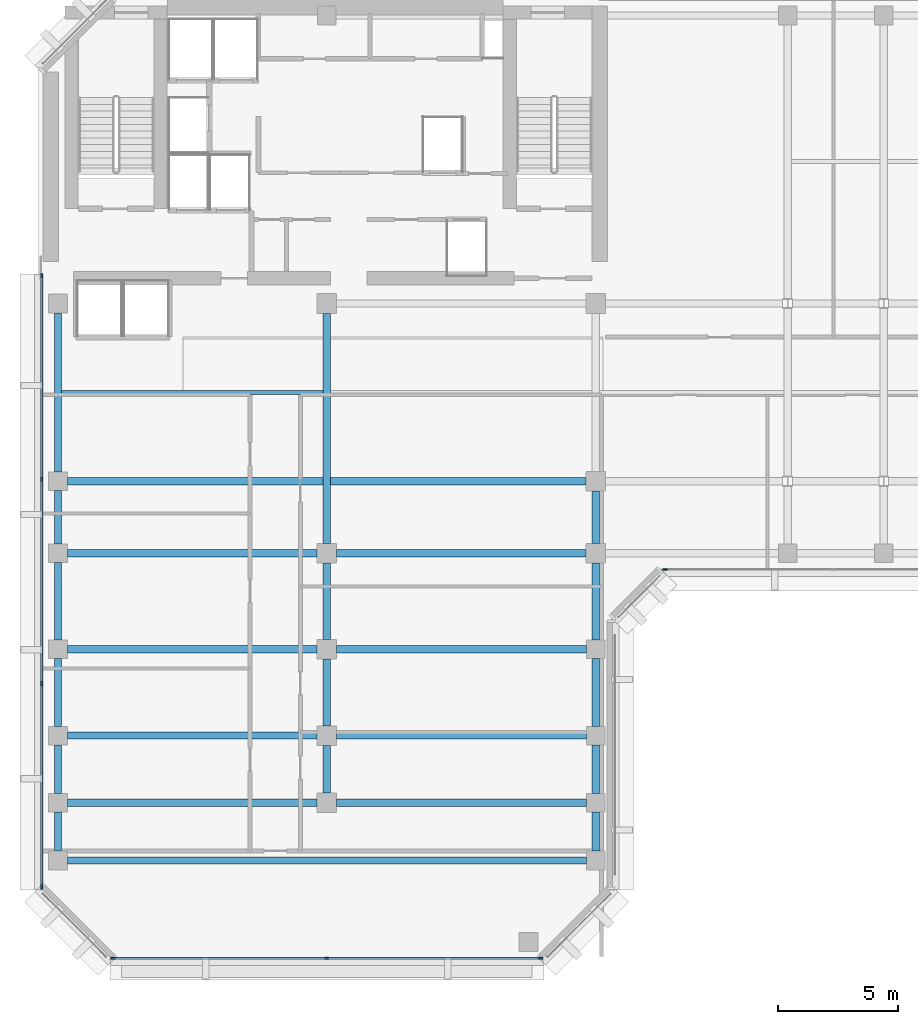
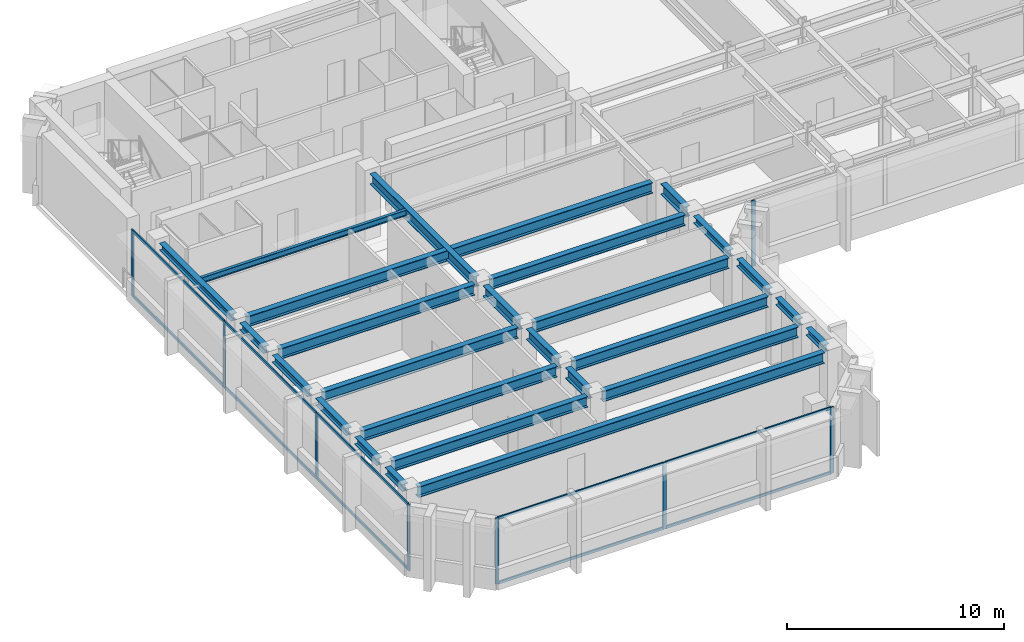
# One storey, part 2 of 12: 26 beams, 18 members, 3 elements without a shape of their own.
"""IFC4 building model written with IfcOpenShell, lengths in metres."""

from ifc_helpers import new_model, si_unit, direction, frame, origin, origin_2d, place, context, subcontext, project, spatial, rectangle, i_section, extrude, material, layer, layer_set, material_profile, profile_set, type_object, element, aggregate, save


model = new_model("IFC4")

# Units and contexts
model_context = context("Model", 3, precision=1e-05, world=origin(), true_north=direction((0.0, 1.0)))
body_context = subcontext(model_context, "Body", "Model", "MODEL_VIEW")
ifc_project = project(units=[si_unit("LENGTHUNIT", "METRE"), si_unit("AREAUNIT", "SQUARE_METRE"), si_unit("VOLUMEUNIT", "CUBIC_METRE"), si_unit("PLANEANGLEUNIT", "RADIAN"), si_unit("MASSUNIT", "GRAM", prefix="KILO")], contexts=[model_context])

# Site, building, storey
site_placement = place(None, origin())
site = spatial("IfcSite", under=ifc_project, at=site_placement, CompositionType="ELEMENT")
building_placement = place(site_placement, origin())
building = spatial("IfcBuilding", under=site, at=building_placement, Name="Kefirva Bronze Tower", CompositionType="ELEMENT")
storey_placement = place(building_placement, frame((0.0, 0.0, 260.3701171875)))
storey = spatial("IfcBuildingStorey", under=building, at=storey_placement, Name="L63", CompositionType="ELEMENT", Elevation=260.3701171875)

# Curtain wall, members
ifc_material_1 = material(Name="Bronze anodised aluminium", Category="aluminium")
ifc_layer = layer(ifc_material_1, 0.179931640625, Name="Bronze anodised aluminium")
ifc_layer_set = layer_set([ifc_layer], Name="Bronze anodised aluminium")
curtain_wall_type = type_object("IfcCurtainWallType", Name="Unitised Bronze Ribbon Curtain Wall Zone 3", PredefinedType="USERDEFINED", material=ifc_layer_set)
curtain_wall_1_placement = place(storey_placement, origin())
curtain_wall_1 = element("IfcCurtainWall", 1, at=curtain_wall_1_placement, inside=storey, type_object=curtain_wall_type, Name="L63 Curtain Wall 1", ObjectType="UNITISED CURTAIN WALL", PredefinedType="USERDEFINED")
ifc_material_profile_1 = material_profile(ifc_material_1, rectangle(XDim=0.074951171875, YDim=0.179931640625, at=origin_2d()), Name="ALU 75x180")
ifc_profile_set_1 = profile_set([ifc_material_profile_1], Name="Bronze anodised aluminium")
member_type_1 = type_object("IfcMemberType", Name="Bronze Mullion 75x180", PredefinedType="MULLION", material=ifc_profile_set_1)
member_1_placement = place(storey_placement, frame((3.092529296875, 5.919921875, 0.0), z_axis=(0.0, 0.0, 1.0), x_axis=(0.0, 1.0, 0.0)))
member_1 = element("IfcMember", 2, at=member_1_placement, type_object=member_type_1, Name="CW-03 mullion 1", PredefinedType="MULLION", context=body_context, shape_type="SweptSolid", body=[
    extrude(rectangle(XDim=0.074951171875, YDim=0.179931640625, at=origin_2d()), origin(), (0.0, 0.0, 1.0), 3.7099609375),
])
member_2_placement = place(storey_placement, frame((12.0, 5.919921875, 0.0), z_axis=(0.0, 0.0, 1.0), x_axis=(0.0, 1.0, 0.0)))
member_2 = element("IfcMember", 3, at=member_2_placement, type_object=member_type_1, Name="CW-03 mullion 2", PredefinedType="MULLION", context=body_context, shape_type="SweptSolid", body=[
    extrude(rectangle(XDim=0.074951171875, YDim=0.179931640625, at=origin_2d()), origin(), (0.0, 0.0, 1.0), 3.7099609375),
])
member_3_placement = place(storey_placement, frame((20.907470703125, 5.919921875, 0.0), z_axis=(0.0, 0.0, 1.0), x_axis=(0.0, 1.0, 0.0)))
member_3 = element("IfcMember", 4, at=member_3_placement, type_object=member_type_1, Name="CW-03 mullion 3", PredefinedType="MULLION", context=body_context, shape_type="SweptSolid", body=[
    extrude(rectangle(XDim=0.074951171875, YDim=0.179931640625, at=origin_2d()), origin(), (0.0, 0.0, 1.0), 3.7099609375),
])

# Curtain wall, member
curtain_wall_2_placement = place(storey_placement, origin())
curtain_wall_2 = element("IfcCurtainWall", 5, at=curtain_wall_2_placement, inside=storey, type_object=curtain_wall_type, Name="L63 Curtain Wall 2", ObjectType="UNITISED CURTAIN WALL", PredefinedType="USERDEFINED")
member_4_placement = place(storey_placement, frame((26.092529296875, 22.1201171875, 0.0), z_axis=(0.0, 0.0, 1.0), x_axis=(0.0, 1.0, 0.0)))
member_4 = element("IfcMember", 6, at=member_4_placement, type_object=member_type_1, Name="CW-03 mullion 1", PredefinedType="MULLION", context=body_context, shape_type="SweptSolid", body=[
    extrude(rectangle(XDim=0.074951171875, YDim=0.179931640625, at=origin_2d()), origin(), (0.0, 0.0, 1.0), 3.7099609375),
])
aggregate(curtain_wall_2, [member_4])

# Curtain wall, members
curtain_wall_3_placement = place(storey_placement, origin())
curtain_wall_3 = element("IfcCurtainWall", 7, at=curtain_wall_3_placement, inside=storey, type_object=curtain_wall_type, Name="L63 Curtain Wall 5", ObjectType="UNITISED CURTAIN WALL", PredefinedType="USERDEFINED")
member_5_placement = place(storey_placement, frame((0.1201171875, 34.357421875, 0.0), z_axis=(0.0, 0.0, 1.0), x_axis=(1.0, 0.0, 0.0)))
member_5 = element("IfcMember", 8, at=member_5_placement, type_object=member_type_1, Name="CW-03 mullion 1", PredefinedType="MULLION", context=body_context, shape_type="SweptSolid", body=[
    extrude(rectangle(XDim=0.074951171875, YDim=0.179931640625, at=origin_2d()), origin(), (0.0, 0.0, 1.0), 3.7099609375),
])
member_6_placement = place(storey_placement, frame((0.1201171875, 25.881591796875, 0.0), z_axis=(0.0, 0.0, 1.0), x_axis=(1.0, 0.0, 0.0)))
member_6 = element("IfcMember", 9, at=member_6_placement, type_object=member_type_1, Name="CW-03 mullion 2", PredefinedType="MULLION", context=body_context, shape_type="SweptSolid", body=[
    extrude(rectangle(XDim=0.074951171875, YDim=0.179931640625, at=origin_2d()), origin(), (0.0, 0.0, 1.0), 3.7099609375),
])
member_7_placement = place(storey_placement, frame((0.1201171875, 17.368408203125, 0.0), z_axis=(0.0, 0.0, 1.0), x_axis=(1.0, 0.0, 0.0)))
member_7 = element("IfcMember", 10, at=member_7_placement, type_object=member_type_1, Name="CW-03 mullion 3", PredefinedType="MULLION", context=body_context, shape_type="SweptSolid", body=[
    extrude(rectangle(XDim=0.074951171875, YDim=0.179931640625, at=origin_2d()), origin(), (0.0, 0.0, 1.0), 3.7099609375),
])
member_8_placement = place(storey_placement, frame((0.1201171875, 8.892578125, 0.0), z_axis=(0.0, 0.0, 1.0), x_axis=(1.0, 0.0, 0.0)))
member_8 = element("IfcMember", 11, at=member_8_placement, type_object=member_type_1, Name="CW-03 mullion 4", PredefinedType="MULLION", context=body_context, shape_type="SweptSolid", body=[
    extrude(rectangle(XDim=0.074951171875, YDim=0.179931640625, at=origin_2d()), origin(), (0.0, 0.0, 1.0), 3.7099609375),
])

# Member
ifc_material_profile_2 = material_profile(ifc_material_1, rectangle(XDim=0.074951171875, YDim=0.14990234375, at=origin_2d()), Name="ALU 75x150")
ifc_profile_set_2 = profile_set([ifc_material_profile_2], Name="Bronze anodised aluminium")
member_type_2 = type_object("IfcMemberType", Name="Bronze Transom 75x150", PredefinedType="USERDEFINED", material=ifc_profile_set_2)
member_9_placement = place(storey_placement, frame((3.1298828125, 5.919921875, 0.037353515625), z_axis=(1.0, 0.0, 0.0), x_axis=(0.0, 1.0, 0.0)))
member_9 = element("IfcMember", 12, at=member_9_placement, type_object=member_type_2, Name="CW-03 transom 1.1", ObjectType="TRANSOM", PredefinedType="USERDEFINED", context=body_context, shape_type="SweptSolid", body=[
    extrude(rectangle(XDim=0.074951171875, YDim=0.14990234375, at=origin_2d()), origin(), (0.0, 0.0, 1.0), 8.83251953125),
])

member_10_placement = place(storey_placement, frame((3.1298828125, 5.919921875, 3.67236328125), z_axis=(1.0, 0.0, 0.0), x_axis=(0.0, 1.0, 0.0)))
member_10 = element("IfcMember", 13, at=member_10_placement, type_object=member_type_2, Name="CW-03 transom 1.2", ObjectType="TRANSOM", PredefinedType="USERDEFINED", context=body_context, shape_type="SweptSolid", body=[
    extrude(rectangle(XDim=0.074951171875, YDim=0.14990234375, at=origin_2d()), origin(), (0.0, 0.0, 1.0), 8.83251953125),
])

member_11_placement = place(storey_placement, frame((12.03759765625, 5.919921875, 0.037353515625), z_axis=(1.0, 0.0, 0.0), x_axis=(0.0, 1.0, 0.0)))
member_11 = element("IfcMember", 14, at=member_11_placement, type_object=member_type_2, Name="CW-03 transom 2.1", ObjectType="TRANSOM", PredefinedType="USERDEFINED", context=body_context, shape_type="SweptSolid", body=[
    extrude(rectangle(XDim=0.074951171875, YDim=0.14990234375, at=origin_2d()), origin(), (0.0, 0.0, 1.0), 8.83251953125),
])

member_12_placement = place(storey_placement, frame((12.03759765625, 5.919921875, 3.67236328125), z_axis=(1.0, 0.0, 0.0), x_axis=(0.0, 1.0, 0.0)))
member_12 = element("IfcMember", 15, at=member_12_placement, type_object=member_type_2, Name="CW-03 transom 2.2", ObjectType="TRANSOM", PredefinedType="USERDEFINED", context=body_context, shape_type="SweptSolid", body=[
    extrude(rectangle(XDim=0.074951171875, YDim=0.14990234375, at=origin_2d()), origin(), (0.0, 0.0, 1.0), 8.83251953125),
])

aggregate(curtain_wall_1, [member_1, member_2, member_3, member_9, member_10, member_11, member_12])

member_13_placement = place(storey_placement, frame((0.1201171875, 34.320068359375, 0.037353515625), z_axis=(0.0, -1.0, 0.0), x_axis=(1.0, 0.0, 0.0)))
member_13 = element("IfcMember", 16, at=member_13_placement, type_object=member_type_2, Name="CW-03 transom 1.1", ObjectType="TRANSOM", PredefinedType="USERDEFINED", context=body_context, shape_type="SweptSolid", body=[
    extrude(rectangle(XDim=0.074951171875, YDim=0.14990234375, at=origin_2d()), origin(), (0.0, 0.0, 1.0), 8.40087890625),
])

member_14_placement = place(storey_placement, frame((0.1201171875, 34.320068359375, 3.67236328125), z_axis=(0.0, -1.0, 0.0), x_axis=(1.0, 0.0, 0.0)))
member_14 = element("IfcMember", 17, at=member_14_placement, type_object=member_type_2, Name="CW-03 transom 1.2", ObjectType="TRANSOM", PredefinedType="USERDEFINED", context=body_context, shape_type="SweptSolid", body=[
    extrude(rectangle(XDim=0.074951171875, YDim=0.14990234375, at=origin_2d()), origin(), (0.0, 0.0, 1.0), 8.40087890625),
])

member_15_placement = place(storey_placement, frame((0.1201171875, 25.84423828125, 0.037353515625), z_axis=(0.0, -1.0, 0.0), x_axis=(1.0, 0.0, 0.0)))
member_15 = element("IfcMember", 18, at=member_15_placement, type_object=member_type_2, Name="CW-03 transom 2.1", ObjectType="TRANSOM", PredefinedType="USERDEFINED", context=body_context, shape_type="SweptSolid", body=[
    extrude(rectangle(XDim=0.074951171875, YDim=0.14990234375, at=origin_2d()), origin(), (0.0, 0.0, 1.0), 8.4384765625),
])

member_16_placement = place(storey_placement, frame((0.1201171875, 25.84423828125, 3.67236328125), z_axis=(0.0, -1.0, 0.0), x_axis=(1.0, 0.0, 0.0)))
member_16 = element("IfcMember", 19, at=member_16_placement, type_object=member_type_2, Name="CW-03 transom 2.2", ObjectType="TRANSOM", PredefinedType="USERDEFINED", context=body_context, shape_type="SweptSolid", body=[
    extrude(rectangle(XDim=0.074951171875, YDim=0.14990234375, at=origin_2d()), origin(), (0.0, 0.0, 1.0), 8.4384765625),
])

member_17_placement = place(storey_placement, frame((0.1201171875, 17.330810546875, 0.037353515625), z_axis=(0.0, -1.0, 0.0), x_axis=(1.0, 0.0, 0.0)))
member_17 = element("IfcMember", 20, at=member_17_placement, type_object=member_type_2, Name="CW-03 transom 3.1", ObjectType="TRANSOM", PredefinedType="USERDEFINED", context=body_context, shape_type="SweptSolid", body=[
    extrude(rectangle(XDim=0.074951171875, YDim=0.14990234375, at=origin_2d()), origin(), (0.0, 0.0, 1.0), 8.40087890625),
])

member_18_placement = place(storey_placement, frame((0.1201171875, 17.330810546875, 3.67236328125), z_axis=(0.0, -1.0, 0.0), x_axis=(1.0, 0.0, 0.0)))
member_18 = element("IfcMember", 21, at=member_18_placement, type_object=member_type_2, Name="CW-03 transom 3.2", ObjectType="TRANSOM", PredefinedType="USERDEFINED", context=body_context, shape_type="SweptSolid", body=[
    extrude(rectangle(XDim=0.074951171875, YDim=0.14990234375, at=origin_2d()), origin(), (0.0, 0.0, 1.0), 8.40087890625),
])

aggregate(curtain_wall_3, [member_5, member_6, member_7, member_8, member_13, member_14, member_15, member_16, member_17, member_18])

# Beams
ifc_material_2 = material(Name="Steel S355", Category="steel")
ifc_material_profile_3 = material_profile(ifc_material_2, i_section(OverallWidth=0.159912109375, OverallDepth=0.330078125, WebThickness=0.007568359375, FlangeThickness=0.011474609375, at=origin_2d()), Name="IPE 330")
ifc_profile_set_3 = profile_set([ifc_material_profile_3], Name="Steel S355")
beam_type_1 = type_object("IfcBeamType", Name="Steel Floor Joist IPE 330", PredefinedType="JOIST", material=ifc_profile_set_3)
beam_1_placement = place(storey_placement, frame((0.949951171875, 29.489990234375, 3.544921875), z_axis=(1.0, 0.0, 0.0), x_axis=(0.0, 1.0, 0.0)))
element("IfcBeam", 22, at=beam_1_placement, inside=storey, type_object=beam_type_1, Name="L63 JST-L63-0-294", PredefinedType="JOIST", context=body_context, shape_type="SweptSolid", body=[
    extrude(i_section(OverallWidth=0.159912109375, OverallDepth=0.330078125, WebThickness=0.007568359375, FlangeThickness=0.011474609375, at=origin_2d()), origin(), (0.0, 0.0, 1.0), 10.900146484375),
])
ifc_material_profile_4 = material_profile(ifc_material_2, i_section(OverallWidth=0.300048828125, OverallDepth=0.60009765625, WebThickness=0.015380859375, FlangeThickness=0.030029296875, at=origin_2d()), Name="HEB 600")
ifc_profile_set_4 = profile_set([ifc_material_profile_4], Name="Steel S355")
beam_type_2 = type_object("IfcBeamType", Name="Steel Girder HEB 600", PredefinedType="USERDEFINED", material=ifc_profile_set_4)
beam_2_placement = place(storey_placement, frame((1.18994140625, 10.0, 3.409912109375), z_axis=(1.0, 0.0, 0.0), x_axis=(0.0, 1.0, 0.0)))
element("IfcBeam", 23, at=beam_2_placement, inside=storey, type_object=beam_type_2, Name="L63 BM-L63-EW-0-100", ObjectType="GIRDER", PredefinedType="USERDEFINED", context=body_context, shape_type="SweptSolid", body=[
    extrude(i_section(OverallWidth=0.300048828125, OverallDepth=0.60009765625, WebThickness=0.015380859375, FlangeThickness=0.030029296875, at=origin_2d()), origin(), (0.0, 0.0, 1.0), 21.6201171875),
])
for number, where, z_axis, x_axis, name in (
    (24, (1.18994140625, 12.39990234375, 3.409912109375), (1.0, 0.0, 0.0), (0.0, 1.0, 0.0), "L63 BM-L63-EW-0-124"),
    (25, (12.409912109375, 12.39990234375, 3.409912109375), (1.0, 0.0, 0.0), (0.0, 1.0, 0.0), "L63 BM-L63-EW-12-124"),
    (26, (1.18994140625, 15.199951171875, 3.409912109375), (1.0, 0.0, 0.0), (0.0, 1.0, 0.0), "L63 BM-L63-EW-0-152"),
    (27, (12.409912109375, 15.199951171875, 3.409912109375), (1.0, 0.0, 0.0), (0.0, 1.0, 0.0), "L63 BM-L63-EW-12-152"),
    (28, (1.18994140625, 18.800048828125, 3.409912109375), (1.0, 0.0, 0.0), (0.0, 1.0, 0.0), "L63 BM-L63-EW-0-188"),
    (29, (12.409912109375, 18.800048828125, 3.409912109375), (1.0, 0.0, 0.0), (0.0, 1.0, 0.0), "L63 BM-L63-EW-12-188"),
    (30, (1.18994140625, 22.800048828125, 3.409912109375), (1.0, 0.0, 0.0), (0.0, 1.0, 0.0), "L63 BM-L63-EW-0-228"),
):
    element("IfcBeam", number, at=place(storey_placement, frame(where, z_axis=z_axis, x_axis=x_axis)), inside=storey, type_object=beam_type_2, Name=name, ObjectType="GIRDER", PredefinedType="USERDEFINED", context=body_context, shape_type="SweptSolid", body=[
        extrude(i_section(OverallWidth=0.300048828125, OverallDepth=0.60009765625, WebThickness=0.015380859375, FlangeThickness=0.030029296875, at=origin_2d()), origin(), (0.0, 0.0, 1.0), 10.400146484375),
    ])
beam_3_placement = place(storey_placement, frame((12.409912109375, 22.800048828125, 3.409912109375), z_axis=(1.0, 0.0, 0.0), x_axis=(0.0, 1.0, 0.0)))
element("IfcBeam", 31, at=beam_3_placement, inside=storey, type_object=beam_type_2, Name="L63 BM-L63-EW-12-228", ObjectType="GIRDER", PredefinedType="USERDEFINED", context=body_context, shape_type="SweptSolid", body=[
    extrude(i_section(OverallWidth=0.300048828125, OverallDepth=0.60009765625, WebThickness=0.015380859375, FlangeThickness=0.030029296875, at=origin_2d()), origin(), (0.0, 0.0, 1.0), 10.380126953125),
])
beam_4_placement = place(storey_placement, frame((1.18994140625, 25.800048828125, 3.409912109375), z_axis=(1.0, 0.0, 0.0), x_axis=(0.0, 1.0, 0.0)))
element("IfcBeam", 32, at=beam_4_placement, inside=storey, type_object=beam_type_2, Name="L63 BM-L63-EW-0-258", ObjectType="GIRDER", PredefinedType="USERDEFINED", context=body_context, shape_type="SweptSolid", body=[
    extrude(i_section(OverallWidth=0.300048828125, OverallDepth=0.60009765625, WebThickness=0.015380859375, FlangeThickness=0.030029296875, at=origin_2d()), origin(), (0.0, 0.0, 1.0), 21.60009765625),
])
beam_5_placement = place(storey_placement, frame((12.0, 12.81005859375, 3.409912109375), z_axis=(0.0, 1.0, 0.0), x_axis=(-1.0, 0.0, 0.0)))
element("IfcBeam", 33, at=beam_5_placement, inside=storey, type_object=beam_type_2, Name="L63 BM-L63-NS-120-12", ObjectType="GIRDER", PredefinedType="USERDEFINED", context=body_context, shape_type="SweptSolid", body=[
    extrude(i_section(OverallWidth=0.300048828125, OverallDepth=0.60009765625, WebThickness=0.015380859375, FlangeThickness=0.030029296875, at=origin_2d()), origin(), (0.0, 0.0, 1.0), 1.97998046875),
])
beam_6_placement = place(storey_placement, frame((12.0, 15.610107421875, 3.409912109375), z_axis=(0.0, 1.0, 0.0), x_axis=(-1.0, 0.0, 0.0)))
element("IfcBeam", 34, at=beam_6_placement, inside=storey, type_object=beam_type_2, Name="L63 BM-L63-NS-120-15", ObjectType="GIRDER", PredefinedType="USERDEFINED", context=body_context, shape_type="SweptSolid", body=[
    extrude(i_section(OverallWidth=0.300048828125, OverallDepth=0.60009765625, WebThickness=0.015380859375, FlangeThickness=0.030029296875, at=origin_2d()), origin(), (0.0, 0.0, 1.0), 2.77978515625),
])
beam_7_placement = place(storey_placement, frame((12.0, 19.2099609375, 3.409912109375), z_axis=(0.0, 1.0, 0.0), x_axis=(-1.0, 0.0, 0.0)))
element("IfcBeam", 35, at=beam_7_placement, inside=storey, type_object=beam_type_2, Name="L63 BM-L63-NS-120-18", ObjectType="GIRDER", PredefinedType="USERDEFINED", context=body_context, shape_type="SweptSolid", body=[
    extrude(i_section(OverallWidth=0.300048828125, OverallDepth=0.60009765625, WebThickness=0.015380859375, FlangeThickness=0.030029296875, at=origin_2d()), origin(), (0.0, 0.0, 1.0), 3.179931640625),
])
beam_8_placement = place(storey_placement, frame((12.0, 23.2099609375, 3.409912109375), z_axis=(0.0, 1.0, 0.0), x_axis=(-1.0, 0.0, 0.0)))
element("IfcBeam", 36, at=beam_8_placement, inside=storey, type_object=beam_type_2, Name="L63 BM-L63-NS-120-22", ObjectType="GIRDER", PredefinedType="USERDEFINED", context=body_context, shape_type="SweptSolid", body=[
    extrude(i_section(OverallWidth=0.300048828125, OverallDepth=0.60009765625, WebThickness=0.015380859375, FlangeThickness=0.030029296875, at=origin_2d()), origin(), (0.0, 0.0, 1.0), 9.580078125),
])
beam_9_placement = place(storey_placement, frame((23.199951171875, 23.2099609375, 3.409912109375), z_axis=(0.0, 1.0, 0.0), x_axis=(-1.0, 0.0, 0.0)))
element("IfcBeam", 37, at=beam_9_placement, inside=storey, type_object=beam_type_2, Name="L63 BM-L63-NS-232-22", ObjectType="GIRDER", PredefinedType="USERDEFINED", context=body_context, shape_type="SweptSolid", body=[
    extrude(i_section(OverallWidth=0.300048828125, OverallDepth=0.60009765625, WebThickness=0.015380859375, FlangeThickness=0.030029296875, at=origin_2d()), origin(), (0.0, 0.0, 1.0), 2.179931640625),
])
ifc_material_profile_5 = material_profile(ifc_material_2, i_section(OverallWidth=0.300048828125, OverallDepth=0.39990234375, WebThickness=0.013427734375, FlangeThickness=0.02392578125, at=origin_2d()), Name="HEB 400")
ifc_profile_set_5 = profile_set([ifc_material_profile_5], Name="Steel S355")
beam_type_3 = type_object("IfcBeamType", Name="Steel Spandrel HEB 400 Ext", PredefinedType="SPANDREL", material=ifc_profile_set_5)
beam_10_placement = place(storey_placement, frame((0.800048828125, 10.389892578125, 3.509765625), z_axis=(0.0, 1.0, 0.0), x_axis=(-1.0, 0.0, 0.0)))
element("IfcBeam", 38, at=beam_10_placement, inside=storey, type_object=beam_type_3, Name="L63 BM-L63-NS-8-10", PredefinedType="SPANDREL", context=body_context, shape_type="SweptSolid", body=[
    extrude(i_section(OverallWidth=0.300048828125, OverallDepth=0.39990234375, WebThickness=0.013427734375, FlangeThickness=0.02392578125, at=origin_2d()), origin(), (0.0, 0.0, 1.0), 1.6201171875),
])
beam_11_placement = place(storey_placement, frame((0.800048828125, 12.7900390625, 3.509765625), z_axis=(0.0, 1.0, 0.0), x_axis=(-1.0, 0.0, 0.0)))
element("IfcBeam", 39, at=beam_11_placement, inside=storey, type_object=beam_type_3, Name="L63 BM-L63-NS-8-12", PredefinedType="SPANDREL", context=body_context, shape_type="SweptSolid", body=[
    extrude(i_section(OverallWidth=0.300048828125, OverallDepth=0.39990234375, WebThickness=0.013427734375, FlangeThickness=0.02392578125, at=origin_2d()), origin(), (0.0, 0.0, 1.0), 2.02001953125),
])
beam_12_placement = place(storey_placement, frame((0.800048828125, 15.590087890625, 3.509765625), z_axis=(0.0, 1.0, 0.0), x_axis=(-1.0, 0.0, 0.0)))
element("IfcBeam", 40, at=beam_12_placement, inside=storey, type_object=beam_type_3, Name="L63 BM-L63-NS-8-15", PredefinedType="SPANDREL", context=body_context, shape_type="SweptSolid", body=[
    extrude(i_section(OverallWidth=0.300048828125, OverallDepth=0.39990234375, WebThickness=0.013427734375, FlangeThickness=0.02392578125, at=origin_2d()), origin(), (0.0, 0.0, 1.0), 2.81982421875),
])
beam_13_placement = place(storey_placement, frame((0.800048828125, 19.18994140625, 3.509765625), z_axis=(0.0, 1.0, 0.0), x_axis=(-1.0, 0.0, 0.0)))
element("IfcBeam", 41, at=beam_13_placement, inside=storey, type_object=beam_type_3, Name="L63 BM-L63-NS-8-18", PredefinedType="SPANDREL", context=body_context, shape_type="SweptSolid", body=[
    extrude(i_section(OverallWidth=0.300048828125, OverallDepth=0.39990234375, WebThickness=0.013427734375, FlangeThickness=0.02392578125, at=origin_2d()), origin(), (0.0, 0.0, 1.0), 3.219970703125),
])
beam_14_placement = place(storey_placement, frame((0.800048828125, 23.18994140625, 3.509765625), z_axis=(0.0, 1.0, 0.0), x_axis=(-1.0, 0.0, 0.0)))
element("IfcBeam", 42, at=beam_14_placement, inside=storey, type_object=beam_type_3, Name="L63 BM-L63-NS-8-22", PredefinedType="SPANDREL", context=body_context, shape_type="SweptSolid", body=[
    extrude(i_section(OverallWidth=0.300048828125, OverallDepth=0.39990234375, WebThickness=0.013427734375, FlangeThickness=0.02392578125, at=origin_2d()), origin(), (0.0, 0.0, 1.0), 2.219970703125),
])
beam_15_placement = place(storey_placement, frame((0.800048828125, 26.18994140625, 3.509765625), z_axis=(0.0, 1.0, 0.0), x_axis=(-1.0, 0.0, 0.0)))
element("IfcBeam", 43, at=beam_15_placement, inside=storey, type_object=beam_type_3, Name="L63 BM-L63-NS-8-25", PredefinedType="SPANDREL", context=body_context, shape_type="SweptSolid", body=[
    extrude(i_section(OverallWidth=0.300048828125, OverallDepth=0.39990234375, WebThickness=0.013427734375, FlangeThickness=0.02392578125, at=origin_2d()), origin(), (0.0, 0.0, 1.0), 6.6201171875),
])
beam_16_placement = place(storey_placement, frame((23.199951171875, 10.389892578125, 3.509765625), z_axis=(0.0, 1.0, 0.0), x_axis=(-1.0, 0.0, 0.0)))
element("IfcBeam", 44, at=beam_16_placement, inside=storey, type_object=beam_type_3, Name="L63 BM-L63-NS-232-10", PredefinedType="SPANDREL", context=body_context, shape_type="SweptSolid", body=[
    extrude(i_section(OverallWidth=0.300048828125, OverallDepth=0.39990234375, WebThickness=0.013427734375, FlangeThickness=0.02392578125, at=origin_2d()), origin(), (0.0, 0.0, 1.0), 1.6201171875),
])
beam_17_placement = place(storey_placement, frame((23.199951171875, 12.7900390625, 3.509765625), z_axis=(0.0, 1.0, 0.0), x_axis=(-1.0, 0.0, 0.0)))
element("IfcBeam", 45, at=beam_17_placement, inside=storey, type_object=beam_type_3, Name="L63 BM-L63-NS-232-12", PredefinedType="SPANDREL", context=body_context, shape_type="SweptSolid", body=[
    extrude(i_section(OverallWidth=0.300048828125, OverallDepth=0.39990234375, WebThickness=0.013427734375, FlangeThickness=0.02392578125, at=origin_2d()), origin(), (0.0, 0.0, 1.0), 2.02001953125),
])
beam_18_placement = place(storey_placement, frame((23.199951171875, 15.590087890625, 3.509765625), z_axis=(0.0, 1.0, 0.0), x_axis=(-1.0, 0.0, 0.0)))
element("IfcBeam", 46, at=beam_18_placement, inside=storey, type_object=beam_type_3, Name="L63 BM-L63-NS-232-15", PredefinedType="SPANDREL", context=body_context, shape_type="SweptSolid", body=[
    extrude(i_section(OverallWidth=0.300048828125, OverallDepth=0.39990234375, WebThickness=0.013427734375, FlangeThickness=0.02392578125, at=origin_2d()), origin(), (0.0, 0.0, 1.0), 2.81982421875),
])
beam_19_placement = place(storey_placement, frame((23.199951171875, 19.18994140625, 3.509765625), z_axis=(0.0, 1.0, 0.0), x_axis=(-1.0, 0.0, 0.0)))
element("IfcBeam", 47, at=beam_19_placement, inside=storey, type_object=beam_type_3, Name="L63 BM-L63-NS-232-18", PredefinedType="SPANDREL", context=body_context, shape_type="SweptSolid", body=[
    extrude(i_section(OverallWidth=0.300048828125, OverallDepth=0.39990234375, WebThickness=0.013427734375, FlangeThickness=0.02392578125, at=origin_2d()), origin(), (0.0, 0.0, 1.0), 3.199951171875),
])

save(model, "model.ifc")
